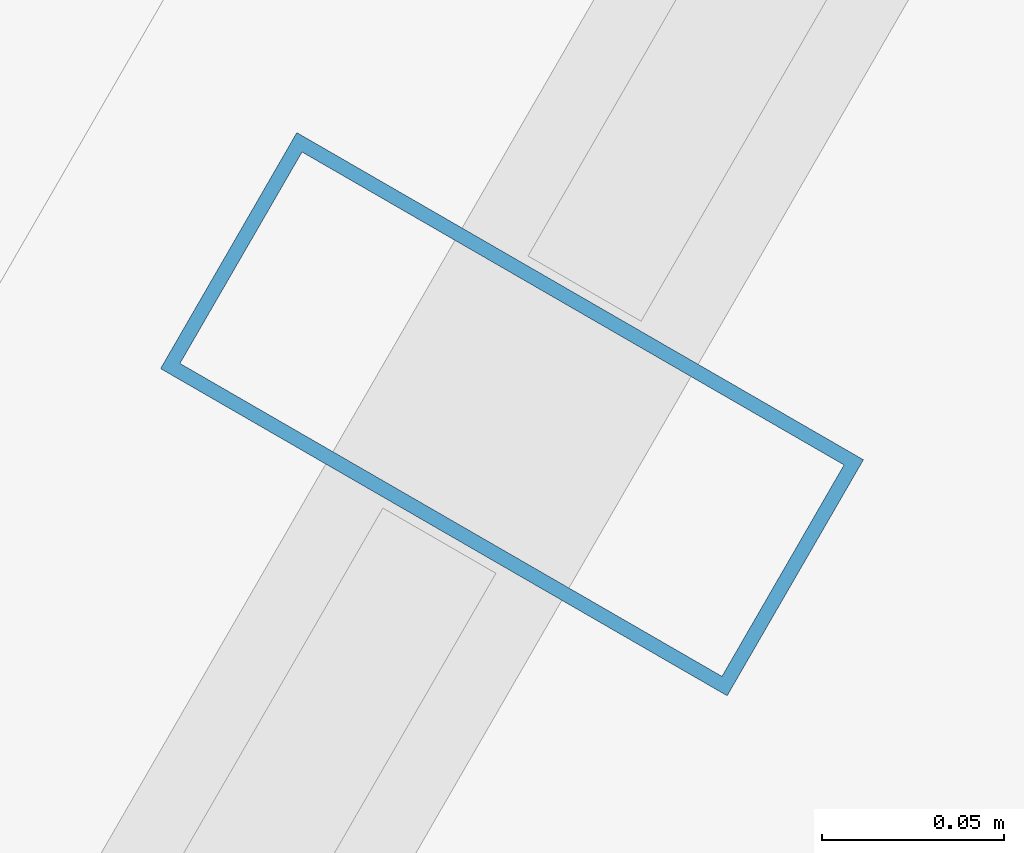
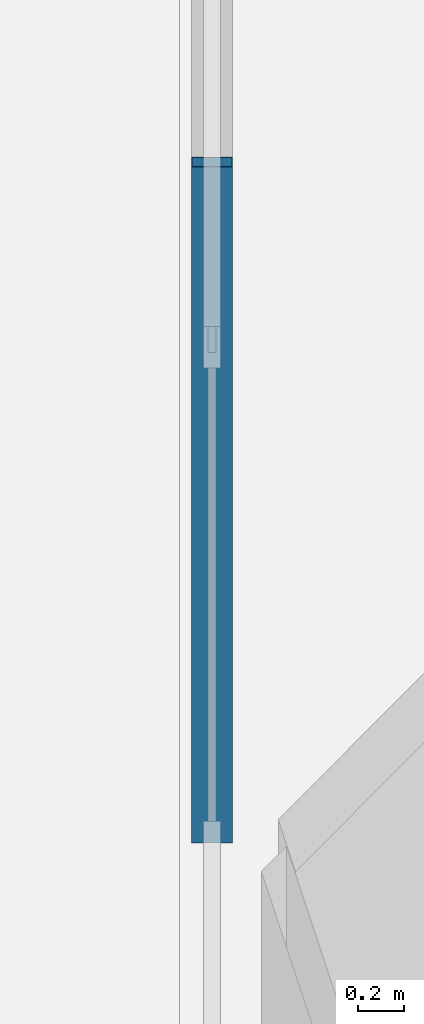
# One storey, part 10 of 37: 1 member, 1 element without a shape of its own.
"""IFC4 building model written with IfcOpenShell, lengths in metres."""

from ifc_helpers import new_model, si_unit, direction, frame, origin, origin_2d, place, context, subcontext, project, spatial, hollow_rectangle, extrude, material, layer, layer_set, material_profile, profile_set, type_object, element, aggregate, save


model = new_model("IFC4")

# Units and contexts
model_context = context("Model", 3, precision=1e-05, world=origin(), true_north=direction((0.0, 1.0)))
body_context = subcontext(model_context, "Body", "Model", "MODEL_VIEW")
ifc_project = project(units=[si_unit("LENGTHUNIT", "METRE"), si_unit("AREAUNIT", "SQUARE_METRE"), si_unit("VOLUMEUNIT", "CUBIC_METRE"), si_unit("PLANEANGLEUNIT", "RADIAN"), si_unit("MASSUNIT", "GRAM", prefix="KILO")], contexts=[model_context])

# Site, building, storey
site_placement = place(None, origin())
site = spatial("IfcSite", under=ifc_project, at=site_placement, CompositionType="ELEMENT")
building_placement = place(site_placement, origin())
building = spatial("IfcBuilding", under=site, at=building_placement, Name="Ndaravel Arena Tower", CompositionType="ELEMENT")
storey_placement = place(building_placement, frame((0.0, 0.0, 218.0)))
storey = spatial("IfcBuildingStorey", under=building, at=storey_placement, Name="L52", CompositionType="ELEMENT", Elevation=218.0)

# Curtain wall, member
ifc_material_1 = material(Name="Aluminium", Category="aluminium")
ifc_layer = layer(ifc_material_1, 0.179931640625)
ifc_layer_set = layer_set([ifc_layer], Name="Aluminium")
curtain_wall_type = type_object("IfcCurtainWallType", Name="CW-SYS-03", PredefinedType="NOTDEFINED", material=ifc_layer_set)
curtain_wall_placement = place(storey_placement, origin())
curtain_wall = element("IfcCurtainWall", 1, at=curtain_wall_placement, inside=storey, type_object=curtain_wall_type, Name="L52 Faceted Crystal Curtain Wall CW-L52-E05", PredefinedType="NOTDEFINED")
ifc_material_2 = material(Name="Aluminium", Category="aluminium")
ifc_material_profile = material_profile(ifc_material_2, hollow_rectangle(XDim=0.074951171875, YDim=0.179931640625, WallThickness=0.00390625, at=origin_2d()), Name="CW MULLION 75x180x4")
ifc_profile_set = profile_set([ifc_material_profile], Name="Aluminium")
member_type = type_object("IfcMemberType", Name="MEM-CW-MUL180", PredefinedType="MULLION", material=ifc_profile_set)
member_placement = place(storey_placement, frame((22.9833984375, 19.398193359375, 0.0), z_axis=(0.0, 0.0, 1.0), x_axis=(-0.5, -0.866025403784, 0.0)))
member = element("IfcMember", 2, at=member_placement, type_object=member_type, Name="CW-L52-E05 Mullion 07", PredefinedType="MULLION", context=body_context, shape_type="SweptSolid", body=[
    extrude(hollow_rectangle(XDim=0.074951171875, YDim=0.179931640625, WallThickness=0.00390625, at=origin_2d()), origin(), (0.0, 0.0, 1.0), 3.580078125),
])
aggregate(curtain_wall, [member])

save(model, "model.ifc")
